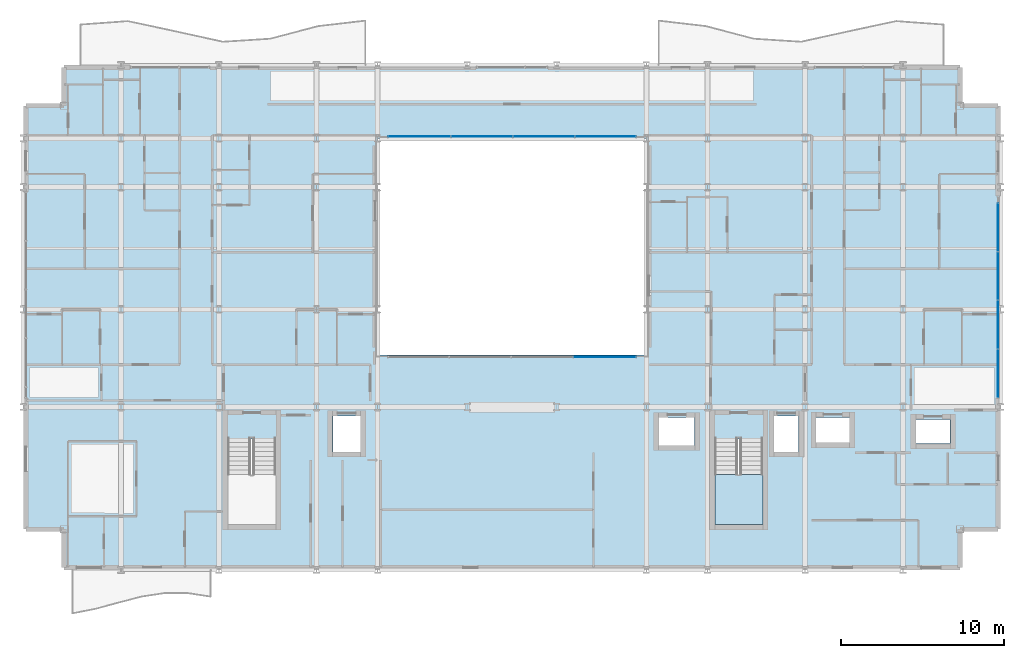
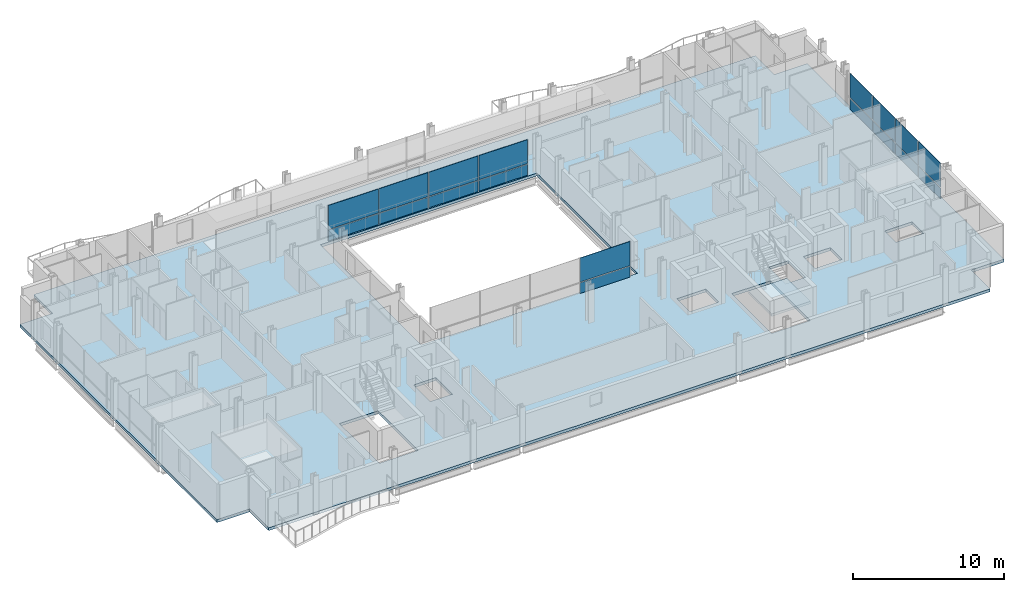
# One storey, part 27 of 41: 18 plates, 2 slabs, 4 elements without a shape of their own.
"""IFC4 building model written with IfcOpenShell, lengths in metres."""

from ifc_helpers import new_model, si_unit, direction, frame, origin, origin_2d, place, context, subcontext, project, spatial, polyline, rectangle, outline, extrude, material, layer, layer_set, type_object, element, aggregate, save


model = new_model("IFC4")

# Units and contexts
model_context = context("Model", 3, precision=1e-05, world=origin(), true_north=direction((0.0, 1.0)))
body_context = subcontext(model_context, "Body", "Model", "MODEL_VIEW")
ifc_project = project(units=[si_unit("LENGTHUNIT", "METRE"), si_unit("AREAUNIT", "SQUARE_METRE"), si_unit("VOLUMEUNIT", "CUBIC_METRE"), si_unit("PLANEANGLEUNIT", "RADIAN"), si_unit("MASSUNIT", "GRAM", prefix="KILO")], contexts=[model_context])

# Site, building, storey
site_placement = place(None, origin())
site = spatial("IfcSite", under=ifc_project, at=site_placement, CompositionType="ELEMENT")
building_placement = place(site_placement, origin())
building = spatial("IfcBuilding", under=site, at=building_placement, Name="Brevholm Reach", CompositionType="ELEMENT")
storey_placement = place(building_placement, frame((0.0, 0.0, 49.699951171875)))
storey = spatial("IfcBuildingStorey", under=building, at=storey_placement, Name="L13", CompositionType="ELEMENT", Elevation=49.699951171875)

# Curtain wall, plates
ifc_material_1 = material(Name="Dark Anodised Aluminium 6063-T6 and Solar-Control Glass", Category="aluminium")
ifc_layer_1 = layer(ifc_material_1, 0.14990234375)
ifc_layer_set_1 = layer_set([ifc_layer_1], Name="Dark Anodised Aluminium 6063-T6 and Solar-Control Glass")
curtain_wall_type_1 = type_object("IfcCurtainWallType", Name="CW-01", PredefinedType="NOTDEFINED", material=ifc_layer_set_1)
curtain_wall_1_placement = place(storey_placement, origin())
curtain_wall_1 = element("IfcCurtainWall", 1, at=curtain_wall_1_placement, inside=storey, type_object=curtain_wall_type_1, Name="L13 Curtain Wall CW-01", PredefinedType="NOTDEFINED")
ifc_material_2 = material(Name="Dark Solar-Control Double-Glazed IGU Glass", Category="glass")
ifc_layer_2 = layer(ifc_material_2, 0.028076171875)
ifc_layer_set_2 = layer_set([ifc_layer_2], Name="Dark Solar-Control Double-Glazed IGU Glass")
plate_type_1 = type_object("IfcPlateType", Name="CWP-GLZ-28", PredefinedType="CURTAIN_PANEL", material=ifc_layer_set_2)
plate_1_placement = place(storey_placement, frame((59.85009765625, 12.066162109375, 0.0), z_axis=(0.0, 0.0, 1.0), x_axis=(0.0, 1.0, 0.0)))
plate_1 = element("IfcPlate", 2, at=plate_1_placement, type_object=plate_type_1, Name="CP-01 Glazing Panel 1.1", PredefinedType="CURTAIN_PANEL", context=body_context, shape_type="SweptSolid", body=[
    extrude(rectangle(XDim=2.902587890625, YDim=0.028076171875, at=origin_2d()), origin(), (0.0, 0.0, 1.0), 0.867431640625),
])
plate_2_placement = place(storey_placement, frame((59.85009765625, 12.066162109375, 0.9326171875), z_axis=(0.0, 0.0, 1.0), x_axis=(0.0, 1.0, 0.0)))
plate_2 = element("IfcPlate", 3, at=plate_2_placement, type_object=plate_type_1, Name="CP-01 Glazing Panel 1.2", PredefinedType="CURTAIN_PANEL", context=body_context, shape_type="SweptSolid", body=[
    extrude(rectangle(XDim=2.902587890625, YDim=0.028076171875, at=origin_2d()), origin(), (0.0, 0.0, 1.0), 1.9375),
])
plate_3_placement = place(storey_placement, frame((59.85009765625, 15.050048828125, 0.0), z_axis=(0.0, 0.0, 1.0), x_axis=(0.0, 1.0, 0.0)))
plate_3 = element("IfcPlate", 4, at=plate_3_placement, type_object=plate_type_1, Name="CP-01 Glazing Panel 2.1", PredefinedType="CURTAIN_PANEL", context=body_context, shape_type="SweptSolid", body=[
    extrude(rectangle(XDim=2.93505859375, YDim=0.028076171875, at=origin_2d()), origin(), (0.0, 0.0, 1.0), 0.867431640625),
])
plate_4_placement = place(storey_placement, frame((59.85009765625, 15.050048828125, 0.9326171875), z_axis=(0.0, 0.0, 1.0), x_axis=(0.0, 1.0, 0.0)))
plate_4 = element("IfcPlate", 5, at=plate_4_placement, type_object=plate_type_1, Name="CP-01 Glazing Panel 2.2", PredefinedType="CURTAIN_PANEL", context=body_context, shape_type="SweptSolid", body=[
    extrude(rectangle(XDim=2.93505859375, YDim=0.028076171875, at=origin_2d()), origin(), (0.0, 0.0, 1.0), 1.9375),
])
plate_5_placement = place(storey_placement, frame((59.85009765625, 18.050048828125, 0.0), z_axis=(0.0, 0.0, 1.0), x_axis=(0.0, 1.0, 0.0)))
plate_5 = element("IfcPlate", 6, at=plate_5_placement, type_object=plate_type_1, Name="CP-01 Glazing Panel 3.1", PredefinedType="CURTAIN_PANEL", context=body_context, shape_type="SweptSolid", body=[
    extrude(rectangle(XDim=2.93505859375, YDim=0.028076171875, at=origin_2d()), origin(), (0.0, 0.0, 1.0), 0.867431640625),
])
plate_6_placement = place(storey_placement, frame((59.85009765625, 18.050048828125, 0.9326171875), z_axis=(0.0, 0.0, 1.0), x_axis=(0.0, 1.0, 0.0)))
plate_6 = element("IfcPlate", 7, at=plate_6_placement, type_object=plate_type_1, Name="CP-01 Glazing Panel 3.2", PredefinedType="CURTAIN_PANEL", context=body_context, shape_type="SweptSolid", body=[
    extrude(rectangle(XDim=2.93505859375, YDim=0.028076171875, at=origin_2d()), origin(), (0.0, 0.0, 1.0), 1.9375),
])
plate_7_placement = place(storey_placement, frame((59.85009765625, 21.050048828125, 0.0), z_axis=(0.0, 0.0, 1.0), x_axis=(0.0, 1.0, 0.0)))
plate_7 = element("IfcPlate", 8, at=plate_7_placement, type_object=plate_type_1, Name="CP-01 Glazing Panel 4.1", PredefinedType="CURTAIN_PANEL", context=body_context, shape_type="SweptSolid", body=[
    extrude(rectangle(XDim=2.93505859375, YDim=0.028076171875, at=origin_2d()), origin(), (0.0, 0.0, 1.0), 0.867431640625),
])
plate_8_placement = place(storey_placement, frame((59.85009765625, 21.050048828125, 0.9326171875), z_axis=(0.0, 0.0, 1.0), x_axis=(0.0, 1.0, 0.0)))
plate_8 = element("IfcPlate", 9, at=plate_8_placement, type_object=plate_type_1, Name="CP-01 Glazing Panel 4.2", PredefinedType="CURTAIN_PANEL", context=body_context, shape_type="SweptSolid", body=[
    extrude(rectangle(XDim=2.93505859375, YDim=0.028076171875, at=origin_2d()), origin(), (0.0, 0.0, 1.0), 1.9375),
])
aggregate(curtain_wall_1, [plate_1, plate_2, plate_3, plate_4, plate_5, plate_6, plate_7, plate_8])

ifc_material_3 = material(Name="Dark Anodised Aluminium 6063-T6 and Solar-Control Glass", Category="aluminium")
ifc_layer_3 = layer(ifc_material_3, 0.139892578125)
ifc_layer_set_3 = layer_set([ifc_layer_3], Name="Dark Anodised Aluminium 6063-T6 and Solar-Control Glass")
curtain_wall_type_2 = type_object("IfcCurtainWallType", Name="CW-02", PredefinedType="NOTDEFINED", material=ifc_layer_set_3)
curtain_wall_2_placement = place(storey_placement, origin())
curtain_wall_2 = element("IfcCurtainWall", 10, at=curtain_wall_2_placement, inside=storey, type_object=curtain_wall_type_2, Name="L13 Curtain Wall CW-02", PredefinedType="NOTDEFINED")
ifc_material_4 = material(Name="Low-Iron Laminated Acoustic Glass", Category="glass")
ifc_layer_4 = layer(ifc_material_4, 0.035888671875)
ifc_layer_set_4 = layer_set([ifc_layer_4], Name="Low-Iron Laminated Acoustic Glass")
plate_type_2 = type_object("IfcPlateType", Name="CWP-GLZ-36", PredefinedType="CURTAIN_PANEL", material=ifc_layer_set_4)
plate_9_placement = place(storey_placement, frame((35.68505859375, 13.080078125, 0.0), z_axis=(0.0, 0.0, 1.0), x_axis=(1.0, 0.0, 0.0)))
plate_9 = element("IfcPlate", 11, at=plate_9_placement, type_object=plate_type_2, Name="CP-02 Glazing Panel 4.1", PredefinedType="CURTAIN_PANEL", context=body_context, shape_type="SweptSolid", body=[
    extrude(rectangle(XDim=3.81005859375, YDim=0.035888671875, at=origin_2d()), origin(), (0.0, 0.0, 1.0), 0.8701171875),
])
plate_10_placement = place(storey_placement, frame((35.68505859375, 13.080078125, 0.93017578125), z_axis=(0.0, 0.0, 1.0), x_axis=(1.0, 0.0, 0.0)))
plate_10 = element("IfcPlate", 12, at=plate_10_placement, type_object=plate_type_2, Name="CP-02 Glazing Panel 4.2", PredefinedType="CURTAIN_PANEL", context=body_context, shape_type="SweptSolid", body=[
    extrude(rectangle(XDim=3.81005859375, YDim=0.035888671875, at=origin_2d()), origin(), (0.0, 0.0, 1.0), 1.93994140625),
])
aggregate(curtain_wall_2, [plate_9, plate_10])

curtain_wall_3_placement = place(storey_placement, origin())
curtain_wall_3 = element("IfcCurtainWall", 13, at=curtain_wall_3_placement, inside=storey, type_object=curtain_wall_type_2, Name="L13 Curtain Wall CW-02", PredefinedType="NOTDEFINED")
plate_11_placement = place(storey_placement, frame((35.735107421875, 26.6201171875, 0.0), z_axis=(0.0, 0.0, 1.0), x_axis=(-1.0, 0.0, 0.0)))
plate_11 = element("IfcPlate", 14, at=plate_11_placement, type_object=plate_type_2, Name="CP-02 Glazing Panel 1.1", PredefinedType="CURTAIN_PANEL", context=body_context, shape_type="SweptSolid", body=[
    extrude(rectangle(XDim=3.7099609375, YDim=0.035888671875, at=origin_2d()), origin(), (0.0, 0.0, 1.0), 0.8701171875),
])
plate_12_placement = place(storey_placement, frame((35.735107421875, 26.6201171875, 0.93017578125), z_axis=(0.0, 0.0, 1.0), x_axis=(-1.0, 0.0, 0.0)))
plate_12 = element("IfcPlate", 15, at=plate_12_placement, type_object=plate_type_2, Name="CP-02 Glazing Panel 1.2", PredefinedType="CURTAIN_PANEL", context=body_context, shape_type="SweptSolid", body=[
    extrude(rectangle(XDim=3.7099609375, YDim=0.035888671875, at=origin_2d()), origin(), (0.0, 0.0, 1.0), 1.93994140625),
])
plate_13_placement = place(storey_placement, frame((31.949951171875, 26.6201171875, 0.0), z_axis=(0.0, 0.0, 1.0), x_axis=(-1.0, 0.0, 0.0)))
plate_13 = element("IfcPlate", 16, at=plate_13_placement, type_object=plate_type_2, Name="CP-02 Glazing Panel 2.1", PredefinedType="CURTAIN_PANEL", context=body_context, shape_type="SweptSolid", body=[
    extrude(rectangle(XDim=3.739990234375, YDim=0.035888671875, at=origin_2d()), origin(), (0.0, 0.0, 1.0), 0.8701171875),
])
plate_14_placement = place(storey_placement, frame((31.949951171875, 26.6201171875, 0.93017578125), z_axis=(0.0, 0.0, 1.0), x_axis=(-1.0, 0.0, 0.0)))
plate_14 = element("IfcPlate", 17, at=plate_14_placement, type_object=plate_type_2, Name="CP-02 Glazing Panel 2.2", PredefinedType="CURTAIN_PANEL", context=body_context, shape_type="SweptSolid", body=[
    extrude(rectangle(XDim=3.739990234375, YDim=0.035888671875, at=origin_2d()), origin(), (0.0, 0.0, 1.0), 1.93994140625),
])
plate_15_placement = place(storey_placement, frame((28.14990234375, 26.6201171875, 0.0), z_axis=(0.0, 0.0, 1.0), x_axis=(-1.0, 0.0, 0.0)))
plate_15 = element("IfcPlate", 18, at=plate_15_placement, type_object=plate_type_2, Name="CP-02 Glazing Panel 3.1", PredefinedType="CURTAIN_PANEL", context=body_context, shape_type="SweptSolid", body=[
    extrude(rectangle(XDim=3.739990234375, YDim=0.035888671875, at=origin_2d()), origin(), (0.0, 0.0, 1.0), 0.8701171875),
])
plate_16_placement = place(storey_placement, frame((28.14990234375, 26.6201171875, 0.93017578125), z_axis=(0.0, 0.0, 1.0), x_axis=(-1.0, 0.0, 0.0)))
plate_16 = element("IfcPlate", 19, at=plate_16_placement, type_object=plate_type_2, Name="CP-02 Glazing Panel 3.2", PredefinedType="CURTAIN_PANEL", context=body_context, shape_type="SweptSolid", body=[
    extrude(rectangle(XDim=3.739990234375, YDim=0.035888671875, at=origin_2d()), origin(), (0.0, 0.0, 1.0), 1.93994140625),
])
plate_17_placement = place(storey_placement, frame((24.31494140625, 26.6201171875, 0.0), z_axis=(0.0, 0.0, 1.0), x_axis=(-1.0, 0.0, 0.0)))
plate_17 = element("IfcPlate", 20, at=plate_17_placement, type_object=plate_type_2, Name="CP-02 Glazing Panel 4.1", PredefinedType="CURTAIN_PANEL", context=body_context, shape_type="SweptSolid", body=[
    extrude(rectangle(XDim=3.81005859375, YDim=0.035888671875, at=origin_2d()), origin(), (0.0, 0.0, 1.0), 0.8701171875),
])
plate_18_placement = place(storey_placement, frame((24.31494140625, 26.6201171875, 0.93017578125), z_axis=(0.0, 0.0, 1.0), x_axis=(-1.0, 0.0, 0.0)))
plate_18 = element("IfcPlate", 21, at=plate_18_placement, type_object=plate_type_2, Name="CP-02 Glazing Panel 4.2", PredefinedType="CURTAIN_PANEL", context=body_context, shape_type="SweptSolid", body=[
    extrude(rectangle(XDim=3.81005859375, YDim=0.035888671875, at=origin_2d()), origin(), (0.0, 0.0, 1.0), 1.93994140625),
])
aggregate(curtain_wall_3, [plate_11, plate_12, plate_13, plate_14, plate_15, plate_16, plate_17, plate_18])

# Slab
ifc_material_5 = material(Name="Concrete C40/50", Category="concrete")
ifc_layer_5 = layer(ifc_material_5, 0.22998046875)
ifc_layer_set_5 = layer_set([ifc_layer_5], Name="Concrete C40/50")
slab_type_1 = type_object("IfcSlabType", Name="SLB-FL-230", PredefinedType="FLOOR", material=ifc_layer_set_5)
slab_1_placement = place(storey_placement, frame((0.0, 0.0, -0.22998046875)))
element("IfcSlab", 22, at=slab_1_placement, inside=storey, type_object=slab_type_1, Name="L13 Suspended Floor Slab (main)", PredefinedType="FLOOR", context=body_context, shape_type="SweptSolid", body=[
    extrude(outline(polyline([(2.5, 0.0), (57.5, 0.0), (57.5, 2.5), (60.0, 2.5), (60.0, 28.5), (57.5, 28.5), (57.5, 31.0), (2.5, 31.0), (2.5, 28.5), (0.0, 28.5), (0.0, 2.5), (2.5, 2.5), (2.5, 0.0)]), holes=[polyline([(21.75, 13.199951171875), (38.25, 13.199951171875), (38.25, 26.5), (21.75, 26.5), (21.75, 13.199951171875)]), polyline([(12.550048828125, 2.780029296875), (15.5, 2.780029296875), (15.5, 8.044921875), (12.550048828125, 8.044921875), (12.550048828125, 2.780029296875)]), polyline([(42.449951171875, 2.780029296875), (45.39990234375, 2.780029296875), (45.39990234375, 8.044921875), (42.449951171875, 8.044921875), (42.449951171875, 2.780029296875)]), polyline([(19.0, 7.25), (20.699951171875, 7.25), (20.699951171875, 9.449951171875), (19.0, 9.449951171875), (19.0, 7.25)]), polyline([(46.10009765625, 7.25), (47.60009765625, 7.25), (47.60009765625, 9.449951171875), (46.10009765625, 9.449951171875), (46.10009765625, 7.25)]), polyline([(48.675048828125, 7.824951171875), (50.72509765625, 7.824951171875), (50.72509765625, 9.375), (48.675048828125, 9.375), (48.675048828125, 7.824951171875)]), polyline([(54.800048828125, 7.75), (56.89990234375, 7.75), (56.89990234375, 9.25), (54.800048828125, 9.25), (54.800048828125, 7.75)]), polyline([(39.02001953125, 7.64990234375), (41.219970703125, 7.64990234375), (41.219970703125, 9.35009765625), (39.02001953125, 9.35009765625), (39.02001953125, 7.64990234375)])]), origin(), (0.0, 0.0, 1.0), 0.22998046875),
])

# Stair, slab
ifc_material_6 = material(Name="Precast Concrete C40/50", Category="concrete")
stair_type = type_object("IfcStairType", Name="STR-ESC-1400", PredefinedType="DOUBLE_RETURN_STAIR", material=ifc_material_6)
stair_placement = place(storey_placement, origin())
stair = element("IfcStair", 23, at=stair_placement, inside=storey, type_object=stair_type, Name="L13 ST-2", PredefinedType="DOUBLE_RETURN_STAIR")
ifc_material_7 = material(Name="Concrete C40/50", Category="concrete")
ifc_layer_6 = layer(ifc_material_7, 0.199951171875)
ifc_layer_set_6 = layer_set([ifc_layer_6], Name="Concrete C40/50")
slab_type_2 = type_object("IfcSlabType", Name="SLB-LND-200", PredefinedType="LANDING", material=ifc_layer_set_6)
slab_2_placement = place(storey_placement, frame((0.0, 0.0, 1.35009765625)))
slab_2 = element("IfcSlab", 24, at=slab_2_placement, type_object=slab_type_2, Name="ST-2 landing 1", PredefinedType="LANDING", context=body_context, shape_type="SweptSolid", body=[
    extrude(outline(polyline([(42.449951171875, 5.860107421875), (42.449951171875, 2.780029296875), (45.39990234375, 2.780029296875), (45.39990234375, 5.860107421875), (42.449951171875, 5.860107421875)])), origin(), (0.0, 0.0, 1.0), 0.199951171875),
])
aggregate(stair, [slab_2])

save(model, "model.ifc")
